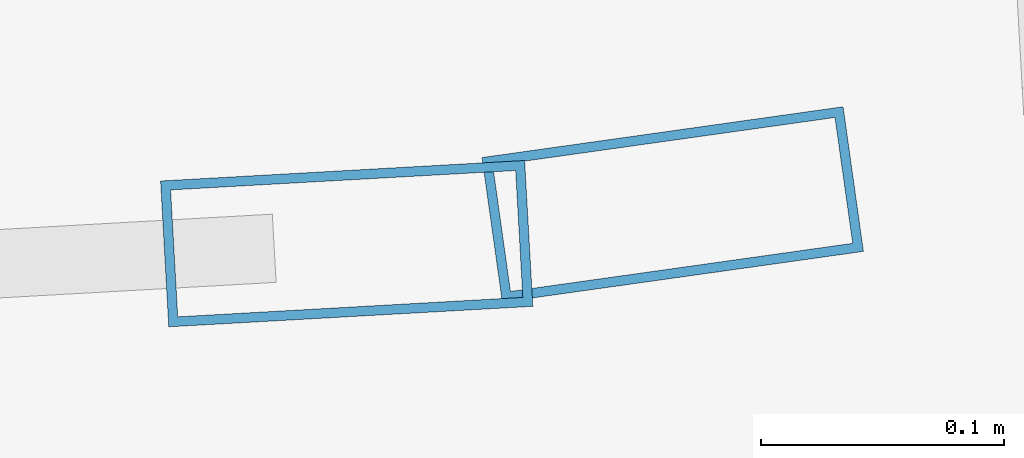
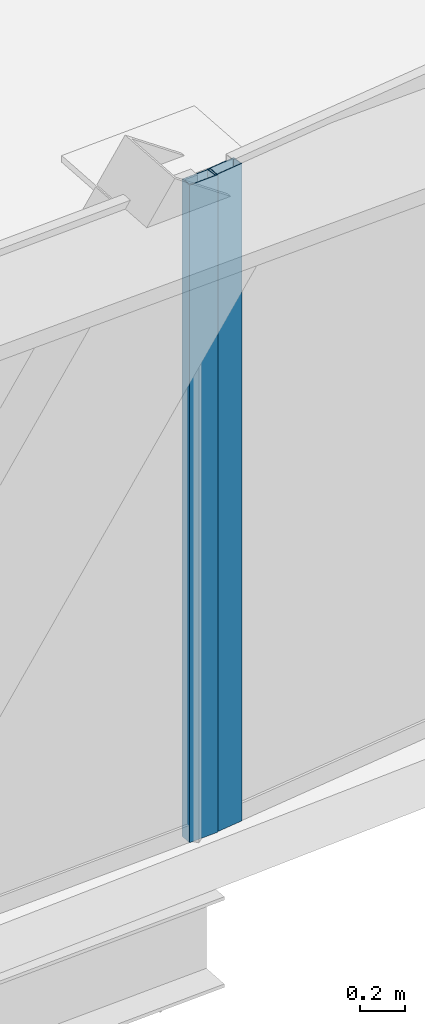
# One storey, part 14 of 40: 2 members, 2 elements without a shape of their own.
"""IFC4 building model written with IfcOpenShell, lengths in metres."""

from ifc_helpers import new_model, si_unit, direction, frame, origin, origin_2d, place, context, subcontext, project, spatial, hollow_rectangle, extrude, source, transform, mapped, material, layer, layer_set, material_profile, profile_set, type_object, element, aggregate, save


model = new_model("IFC4")

# Units and contexts
model_context = context("Model", 3, precision=1e-05, world=origin(), true_north=direction((0.0, 1.0)))
body_context = subcontext(model_context, "Body", "Model", "MODEL_VIEW")
ifc_project = project(units=[si_unit("LENGTHUNIT", "METRE"), si_unit("AREAUNIT", "SQUARE_METRE"), si_unit("VOLUMEUNIT", "CUBIC_METRE"), si_unit("PLANEANGLEUNIT", "RADIAN"), si_unit("MASSUNIT", "GRAM", prefix="KILO"), si_unit("THERMODYNAMICTEMPERATUREUNIT", "KELVIN"), si_unit("POWERUNIT", "WATT")], contexts=[model_context])

# Site, building, storey
site_placement = place(None, origin())
site = spatial("IfcSite", under=ifc_project, at=site_placement, CompositionType="ELEMENT")
building_placement = place(site_placement, origin())
building = spatial("IfcBuilding", under=site, at=building_placement, Name="Yunzhuo Pagoda Commons", CompositionType="ELEMENT")
storey_placement = place(building_placement, frame((0.0, 0.0, 188.56005859375)))
storey = spatial("IfcBuildingStorey", under=building, at=storey_placement, Name="L47", CompositionType="ELEMENT", Elevation=188.56005859375)

# Curtain wall, member
ifc_material = material(Name="Anodized aluminium 6063-T6", Category="aluminium")
ifc_layer = layer(ifc_material, 0.14990234375)
ifc_layer_set = layer_set([ifc_layer], Name="Anodized aluminium 6063-T6")
curtain_wall_type = type_object("IfcCurtainWallType", Name="CW-MID Mid-Zone Ribbon Curtain Wall", PredefinedType="NOTDEFINED", material=ifc_layer_set)
curtain_wall_1_placement = place(storey_placement, origin())
curtain_wall_1 = element("IfcCurtainWall", 1, at=curtain_wall_1_placement, inside=storey, type_object=curtain_wall_type, Name="L47 curtain wall CW-L47-F1B4", PredefinedType="NOTDEFINED")
ifc_material_profile = material_profile(ifc_material, hollow_rectangle(XDim=0.06005859375, YDim=0.14990234375, WallThickness=0.00390625, at=origin_2d()), Name="Anodized aluminium 6063-T6")
ifc_profile_set = profile_set([ifc_material_profile], Name="Anodized aluminium 6063-T6")
member_type = type_object("IfcMemberType", Name="CW-MID-M Mullion RHS 150x60x4", PredefinedType="MULLION", material=ifc_profile_set)
shared_shape = source(origin(), body_context, "Body", "SweptSolid", [
    extrude(hollow_rectangle(XDim=0.06005859375, YDim=0.14990234375, WallThickness=0.00390625, at=origin_2d()), origin(), (0.0, 0.0, 1.0), 3.5400390625),
])
member_1_placement = place(storey_placement, frame((64.017333984375, 14.573974609375, 0.0), z_axis=(0.0, 0.0, 1.0), x_axis=(-0.056142665584, 0.998422756702, 0.0)))
member_1 = element("IfcMember", 2, at=member_1_placement, type_object=member_type, Name="CW mullion 2", PredefinedType="MULLION", context=body_context, shape_type="MappedRepresentation", body=[
    mapped(shared_shape, transform((0.0, 0.0, 0.0), scale=1.0)),
])
aggregate(curtain_wall_1, [member_1])

curtain_wall_2_placement = place(storey_placement, origin())
curtain_wall_2 = element("IfcCurtainWall", 3, at=curtain_wall_2_placement, inside=storey, type_object=curtain_wall_type, Name="L47 curtain wall CW-L47-F1B5", PredefinedType="NOTDEFINED")
member_2_placement = place(storey_placement, frame((64.1513671875, 14.590087890625, 0.0), z_axis=(0.0, 0.0, 1.0), x_axis=(-0.139233100351, 0.990259634524, 0.0)))
member_2 = element("IfcMember", 4, at=member_2_placement, type_object=member_type, Name="CW mullion 1", PredefinedType="MULLION", context=body_context, shape_type="MappedRepresentation", body=[
    mapped(shared_shape, transform((0.0, 0.0, 0.0), scale=1.0)),
])
aggregate(curtain_wall_2, [member_2])

save(model, "model.ifc")
